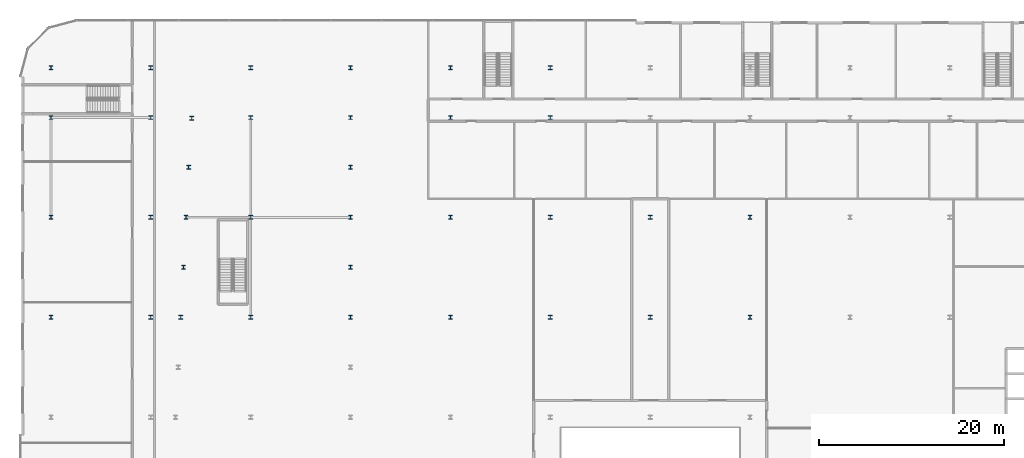
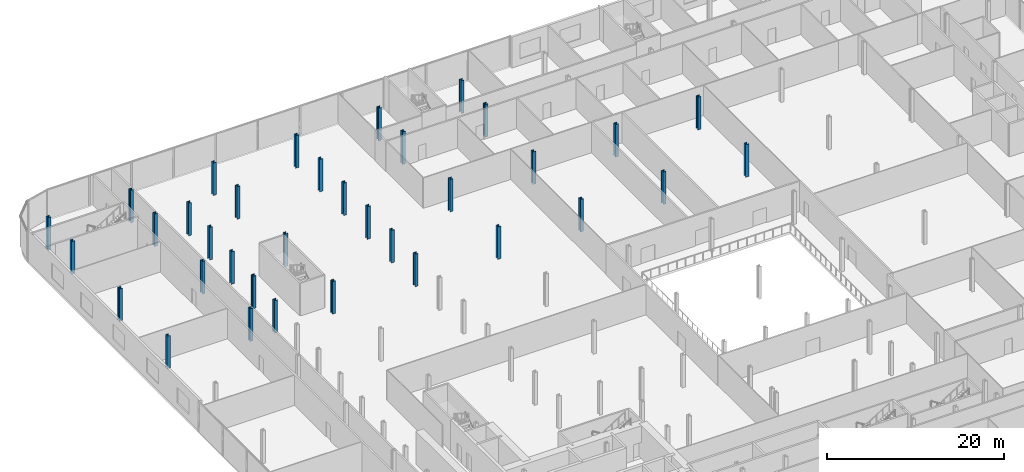
# One storey, part 4 of 47: 35 columns.
"""IFC4 building model written with IfcOpenShell, lengths in metres."""

import ifcopenshell
import ifcopenshell.guid

model = None  # the IFC model being written
_history = None  # IfcOwnerHistory: only IFC2X3 demands one
_inside = {}  # id of a spatial element -> (the spatial element, [elements in it])
_under = {}  # id of a project, library or spatial element -> (it, [spatial elements below it])
_declared = {}  # id of a project -> (the project, [libraries it declares])
_typed = {}  # id of a type object -> (the type object, [elements of that type])
_made_of = {}  # id of a material, layer set ... -> (it, [elements and type objects made of it])


def new_model(schema):
    """Start an empty IFC model of exactly this schema.

    Asked for "IFC4X3", IfcOpenShell would pick the latest addendum, in which some entities
    have other attributes; the version numbers below select the first issue.
    IFC2X3 requires an IfcOwnerHistory on every rooted entity: one is made here for all.
    """
    global model, _history
    if schema == "IFC4X3":
        model = ifcopenshell.file(schema_version=(4, 3, 0, 0))
    else:
        model = ifcopenshell.file(schema=schema)
    _inside.clear()
    _under.clear()
    _declared.clear()
    _typed.clear()
    _made_of.clear()
    _history = None
    if model.schema == "IFC2X3":
        org = make("IfcOrganization", Name="unknown")
        user = make(
            "IfcPersonAndOrganization",
            ThePerson=make("IfcPerson", FamilyName="unknown"),
            TheOrganization=org,
        )
        app = make(
            "IfcApplication",
            ApplicationDeveloper=org,
            Version="unknown",
            ApplicationFullName="unknown",
            ApplicationIdentifier="unknown",
        )
        _history = make(
            "IfcOwnerHistory",
            OwningUser=user,
            OwningApplication=app,
            ChangeAction="ADDED",
            CreationDate=0,
        )
    return model


def make(cls, **values):
    """One entity of the class cls with the attributes given. An attribute that is None is left unset."""
    return model.create_entity(
        cls, **{name: value for name, value in values.items() if value is not None}
    )


def rooted(cls, **values):
    """An entity with a GlobalId (a new one), such as an element, a storey or a relation."""
    return make(cls, GlobalId=ifcopenshell.guid.new(), OwnerHistory=_history, **values)


def si_unit(unit_type, name, prefix=None):
    """IfcSIUnit, for example si_unit("LENGTHUNIT", "METRE", prefix="MILLI")."""
    return make("IfcSIUnit", UnitType=unit_type, Prefix=prefix, Name=name)


def assignment(units):
    """IfcUnitAssignment: the units of a project."""
    return None if units is None else make("IfcUnitAssignment", Units=units)


def point(xyz):
    """IfcCartesianPoint."""
    return None if xyz is None else make("IfcCartesianPoint", Coordinates=xyz)


def direction(xyz):
    """IfcDirection."""
    return None if xyz is None else make("IfcDirection", DirectionRatios=xyz)


def frame(location, z_axis=None, x_axis=None):
    """IfcAxis2Placement3D, a coordinate frame: its origin and axes. An axis left out is left unset."""
    return make(
        "IfcAxis2Placement3D",
        Location=point(location),
        Axis=direction(z_axis),
        RefDirection=direction(x_axis),
    )


def frame_2d(location, x_axis=None):
    """IfcAxis2Placement2D, a coordinate frame in the plane: its origin and x axis."""
    return make(
        "IfcAxis2Placement2D", Location=point(location), RefDirection=direction(x_axis)
    )


def origin():
    """The frame at (0, 0, 0) with its axes left unset."""
    return frame((0.0, 0.0, 0.0))


def origin_2d():
    """The frame at (0, 0) in the plane with its x axis left unset."""
    return frame_2d((0.0, 0.0))


def place(relative_to, where):
    """IfcLocalPlacement: puts the frame where relative to a parent placement (None: the world)."""
    return make(
        "IfcLocalPlacement", PlacementRelTo=relative_to, RelativePlacement=where
    )


def context(
    kind, dimensions, precision=None, world=None, true_north=None, identifier=None
):
    """IfcGeometricRepresentationContext, for example the 3D "Model" context."""
    return make(
        "IfcGeometricRepresentationContext",
        ContextIdentifier=identifier,
        ContextType=kind,
        CoordinateSpaceDimension=dimensions,
        Precision=precision,
        WorldCoordinateSystem=world,
        TrueNorth=true_north,
    )


def subcontext(parent, identifier, kind, view, scale=None):
    """IfcGeometricRepresentationSubContext, for example "Body" below "Model"."""
    return make(
        "IfcGeometricRepresentationSubContext",
        ContextIdentifier=identifier,
        ContextType=kind,
        ParentContext=parent,
        TargetScale=scale,
        TargetView=view,
    )


def project(units=None, contexts=None):
    """IfcProject with its units and contexts."""
    return rooted(
        "IfcProject",
        Name="project",
        RepresentationContexts=contexts,
        UnitsInContext=assignment(units),
    )


def spatial(cls, under=None, at=None, **own):
    """A site, building, storey or space (cls), placed at a placement, below another one or the project."""
    s = rooted(cls, ObjectPlacement=at, **own)
    if under is not None:
        _under.setdefault(under.id(), (under, []))[1].append(s)
    return s


def profile(cls, at=None, kind="AREA", **sizes):
    """A parametric profile (cls). Its sizes go by their IFC names, for example OverallWidth=200.0."""
    return make(cls, ProfileType=kind, Position=at, **sizes)


def i_section(**sizes):
    """IfcIShapeProfileDef."""
    return profile("IfcIShapeProfileDef", **sizes)


def extrude(swept, where, along, depth):
    """IfcExtrudedAreaSolid: the profile swept, set in the frame where, extruded along a direction by depth."""
    return make(
        "IfcExtrudedAreaSolid",
        SweptArea=swept,
        Position=where,
        ExtrudedDirection=direction(along),
        Depth=depth,
    )


def shape(context_of_items, identifier, shape_type, items):
    """IfcShapeRepresentation: the items that make up one representation, for example the "Body"."""
    return make(
        "IfcShapeRepresentation",
        ContextOfItems=context_of_items,
        RepresentationIdentifier=identifier,
        RepresentationType=shape_type,
        Items=items,
    )


def material(Name=None, Category=None):
    """IfcMaterial."""
    return make("IfcMaterial", Name=Name, Category=Category)


def material_profile(
    of_material, cross_section, Name=None, Category=None, Priority=None
):
    """IfcMaterialProfile: a cross section and its material."""
    return make(
        "IfcMaterialProfile",
        Name=Name,
        Material=of_material,
        Profile=cross_section,
        Priority=Priority,
        Category=Category,
    )


def profile_set(profiles, Name=None, composite=None):
    """IfcMaterialProfileSet."""
    return make(
        "IfcMaterialProfileSet",
        Name=Name,
        MaterialProfiles=profiles,
        CompositeProfile=composite,
    )


def made_of(thing, what):
    """Note that an element or type object is made of a material, layer set ...; save() writes the relation."""
    if what is not None:
        _made_of.setdefault(what.id(), (what, []))[1].append(thing)
    return thing


def type_object(cls, material=None, **own):
    """A type object (cls), such as IfcWallType, which elements share."""
    return made_of(rooted(cls, **own), material)


def element(
    cls,
    number,
    at=None,
    inside=None,
    cuts=None,
    type_object=None,
    material=None,
    context=None,
    identifier="Body",
    shape_type=None,
    held_by="IfcProductDefinitionShape",
    body=None,
    shapes=None,
    **own,
):
    """One element of the class cls, such as IfcWall. Its Tag is "e" and its number.

    at: its placement. inside: the storey or other place that contains it. cuts: it is an
    opening in that element (IfcRelVoidsElement). A single representation is given by context,
    identifier, shape_type and body (its items); several are given by shapes. held_by: the class
    of the entity that holds the representations. save() writes the other relations.
    """
    e = rooted(cls, Tag="e%d" % number, ObjectPlacement=at, **own)
    if body is not None:
        shapes = [shape(context, identifier, shape_type, body)]
    if shapes is not None:
        e.Representation = make(held_by, Representations=shapes)
    if inside is not None:
        _inside.setdefault(inside.id(), (inside, []))[1].append(e)
    if cuts is not None:
        rooted(
            "IfcRelVoidsElement", RelatingBuildingElement=cuts, RelatedOpeningElement=e
        )
    if type_object is not None:
        _typed.setdefault(type_object.id(), (type_object, []))[1].append(e)
    return made_of(e, material)


def aggregate(whole, parts):
    """IfcRelAggregates: a whole, such as a stair, and the parts it consists of."""
    return rooted("IfcRelAggregates", RelatingObject=whole, RelatedObjects=parts)


def save(model, path):
    """Write the relations noted so far, then the file.

    IfcRelAggregates (storeys below a building ...), IfcRelContainedInSpatialStructure (elements
    in a storey), IfcRelDefinesByType, IfcRelAssociatesMaterial and IfcRelDeclares: one each for
    every whole, place, type object, material and project.
    """
    for whole, parts in _under.values():
        aggregate(whole, parts)
    for where, things in _inside.values():
        rooted(
            "IfcRelContainedInSpatialStructure",
            RelatedElements=things,
            RelatingStructure=where,
        )
    for kind, things in _typed.values():
        rooted("IfcRelDefinesByType", RelatedObjects=things, RelatingType=kind)
    for what, things in _made_of.values():
        rooted("IfcRelAssociatesMaterial", RelatedObjects=things, RelatingMaterial=what)
    for by, libraries in _declared.values():
        rooted("IfcRelDeclares", RelatingContext=by, RelatedDefinitions=libraries)
    model.write(path)


model = new_model("IFC4")

# Units and contexts
model_context = context("Model", 3, precision=1e-05, world=origin(), true_north=direction((0.0, 1.0)))
body_context = subcontext(model_context, "Body", "Model", "MODEL_VIEW")
ifc_project = project(units=[si_unit("LENGTHUNIT", "METRE"), si_unit("AREAUNIT", "SQUARE_METRE"), si_unit("VOLUMEUNIT", "CUBIC_METRE"), si_unit("PLANEANGLEUNIT", "RADIAN"), si_unit("MASSUNIT", "GRAM", prefix="KILO")], contexts=[model_context])

# Site, building, storey
site_placement = place(None, origin())
site = spatial("IfcSite", under=ifc_project, at=site_placement, CompositionType="ELEMENT")
building_placement = place(site_placement, origin())
building = spatial("IfcBuilding", under=site, at=building_placement, Name="Kheshtan School and Residences Tower", CompositionType="ELEMENT")
storey_placement = place(building_placement, frame((0.0, 0.0, 12.5)))
storey = spatial("IfcBuildingStorey", under=building, at=storey_placement, Name="L02", CompositionType="ELEMENT", Elevation=12.5)

# Columns
ifc_material = material(Name="Steel ASTM A992 Grade 50", Category="steel")
ifc_material_profile = material_profile(ifc_material, i_section(OverallWidth=0.408935546875, OverallDepth=0.425048828125, WebThickness=0.03271484375, FlangeThickness=0.052490234375, FilletRadius=0.0126953125, at=origin_2d()), Name="W360x421")
ifc_profile_set = profile_set([ifc_material_profile], Name="Steel ASTM A992 Grade 50")
column_type = type_object("IfcColumnType", Name="Column PC2 W360x421 ASTM A992 Grade 50", PredefinedType="COLUMN", material=ifc_profile_set)
for number, where, z_axis, x_axis, name in (
    (1, (15.199951171875, 78.0, 0.0), (0.0, 0.0, 1.0), (1.0, 0.0, 0.0), "Column P-073"),
    (2, (26.0, 78.0, 0.0), (0.0, 0.0, 1.0), (1.0, 0.0, 0.0), "Column P-074"),
    (3, (36.800048828125, 78.0, 0.0), (0.0, 0.0, 1.0), (1.0, 0.0, 0.0), "Column P-075"),
    (4, (47.60009765625, 78.0, 0.0), (0.0, 0.0, 1.0), (1.0, 0.0, 0.0), "Column P-076"),
    (5, (58.39990234375, 78.0, 0.0), (0.0, 0.0, 1.0), (1.0, 0.0, 0.0), "Column P-077"),
    (6, (69.199951171875, 78.0, 0.0), (0.0, 0.0, 1.0), (1.0, 0.0, 0.0), "Column P-078"),
    (7, (80.0, 78.0, 0.0), (0.0, 0.0, 1.0), (1.0, 0.0, 0.0), "Column P-079"),
    (8, (90.800048828125, 78.0, 0.0), (0.0, 0.0, 1.0), (1.0, 0.0, 0.0), "Column P-080"),
    (9, (15.199951171875, 88.800048828125, 0.0), (0.0, 0.0, 1.0), (1.0, 0.0, 0.0), "Column P-085"),
    (10, (26.0, 88.800048828125, 0.0), (0.0, 0.0, 1.0), (1.0, 0.0, 0.0), "Column P-086"),
    (11, (36.800048828125, 88.800048828125, 0.0), (0.0, 0.0, 1.0), (1.0, 0.0, 0.0), "Column P-087"),
    (12, (47.60009765625, 88.800048828125, 0.0), (0.0, 0.0, 1.0), (1.0, 0.0, 0.0), "Column P-088"),
    (13, (58.39990234375, 88.800048828125, 0.0), (0.0, 0.0, 1.0), (1.0, 0.0, 0.0), "Column P-089"),
    (14, (69.199951171875, 88.800048828125, 0.0), (0.0, 0.0, 1.0), (1.0, 0.0, 0.0), "Column P-090"),
    (15, (80.0, 88.800048828125, 0.0), (0.0, 0.0, 1.0), (1.0, 0.0, 0.0), "Column P-091"),
    (16, (90.800048828125, 88.800048828125, 0.0), (0.0, 0.0, 1.0), (1.0, 0.0, 0.0), "Column P-092"),
    (17, (15.199951171875, 99.60009765625, 0.0), (0.0, 0.0, 1.0), (1.0, 0.0, 0.0), "Column P-097"),
    (18, (26.0, 99.60009765625, 0.0), (0.0, 0.0, 1.0), (1.0, 0.0, 0.0), "Column P-098"),
    (19, (36.800048828125, 99.60009765625, 0.0), (0.0, 0.0, 1.0), (1.0, 0.0, 0.0), "Column P-099"),
    (20, (47.60009765625, 99.60009765625, 0.0), (0.0, 0.0, 1.0), (1.0, 0.0, 0.0), "Column P-100"),
    (21, (58.39990234375, 99.60009765625, 0.0), (0.0, 0.0, 1.0), (1.0, 0.0, 0.0), "Column P-101"),
    (22, (69.199951171875, 99.60009765625, 0.0), (0.0, 0.0, 1.0), (1.0, 0.0, 0.0), "Column P-102"),
    (23, (15.199951171875, 105.0, 0.0), (0.0, 0.0, 1.0), (1.0, 0.0, 0.0), "Column P-109"),
    (24, (26.0, 105.0, 0.0), (0.0, 0.0, 1.0), (1.0, 0.0, 0.0), "Column P-110"),
    (25, (36.800048828125, 105.0, 0.0), (0.0, 0.0, 1.0), (1.0, 0.0, 0.0), "Column P-111"),
    (26, (47.60009765625, 105.0, 0.0), (0.0, 0.0, 1.0), (1.0, 0.0, 0.0), "Column P-112"),
    (27, (58.39990234375, 105.0, 0.0), (0.0, 0.0, 1.0), (1.0, 0.0, 0.0), "Column P-113"),
    (28, (69.199951171875, 105.0, 0.0), (0.0, 0.0, 1.0), (1.0, 0.0, 0.0), "Column P-114"),
    (29, (29.239990234375, 78.0, 0.0), (0.0, 0.0, 1.0), (1.0, 0.0, 0.0), "Transfer column X28"),
    (30, (29.530029296875, 83.39990234375, 0.0), (0.0, 0.0, 1.0), (1.0, 0.0, 0.0), "Transfer column X29"),
    (31, (47.60009765625, 83.39990234375, 0.0), (0.0, 0.0, 1.0), (1.0, 0.0, 0.0), "Transfer column X30"),
    (32, (29.81005859375, 88.800048828125, 0.0), (0.0, 0.0, 1.0), (1.0, 0.0, 0.0), "Transfer column X31"),
    (33, (30.090087890625, 94.199951171875, 0.0), (0.0, 0.0, 1.0), (1.0, 0.0, 0.0), "Transfer column X32"),
    (34, (47.60009765625, 94.199951171875, 0.0), (0.0, 0.0, 1.0), (1.0, 0.0, 0.0), "Transfer column X33"),
    (35, (30.419921875, 99.510009765625, 0.0), (0.0, 0.0, 1.0), (1.0, 0.0, 0.0), "Transfer column X34"),
):
    element("IfcColumn", number, at=place(storey_placement, frame(where, z_axis=z_axis, x_axis=x_axis)), inside=storey, type_object=column_type, Name=name, PredefinedType="COLUMN", context=body_context, shape_type="SweptSolid", body=[
        extrude(i_section(OverallWidth=0.408935546875, OverallDepth=0.425048828125, WebThickness=0.03271484375, FlangeThickness=0.052490234375, FilletRadius=0.0126953125, at=origin_2d()), origin(), (0.0, 0.0, 1.0), 4.5),
    ])

save(model, "model.ifc")
